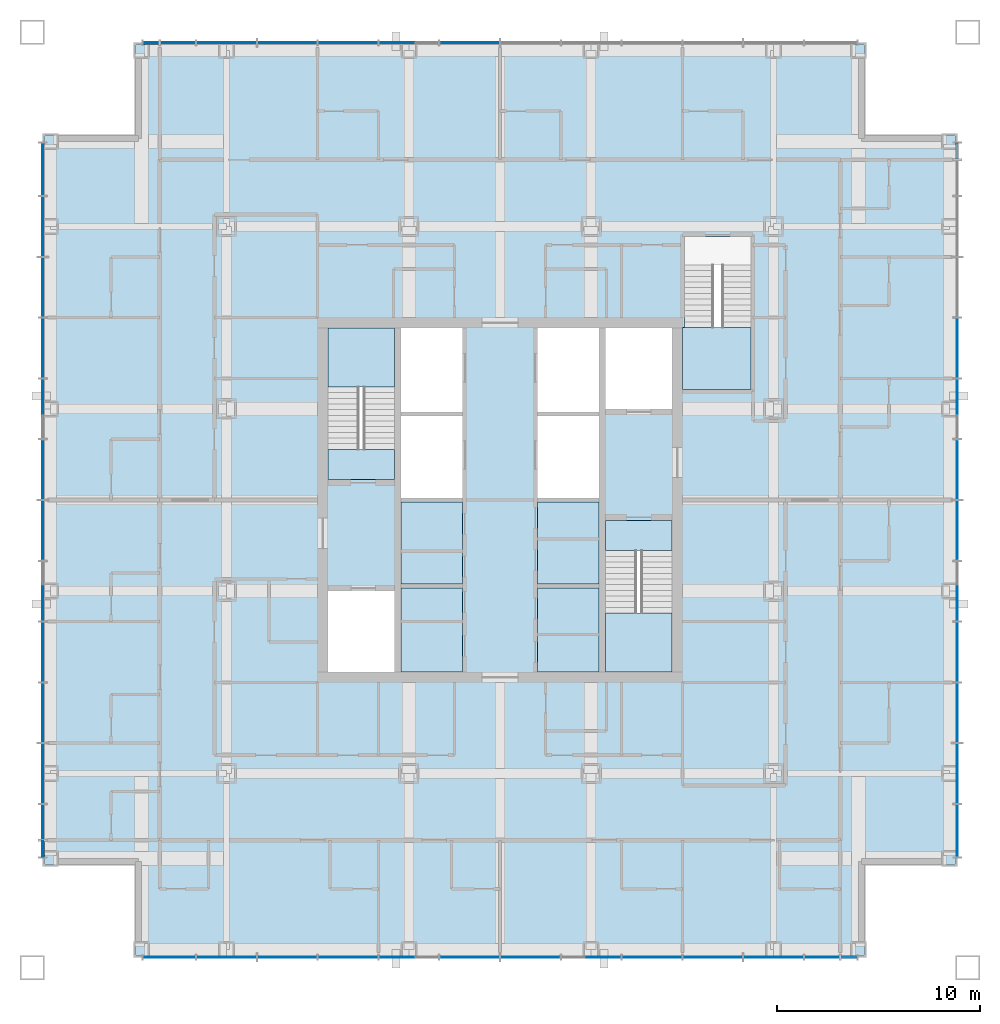
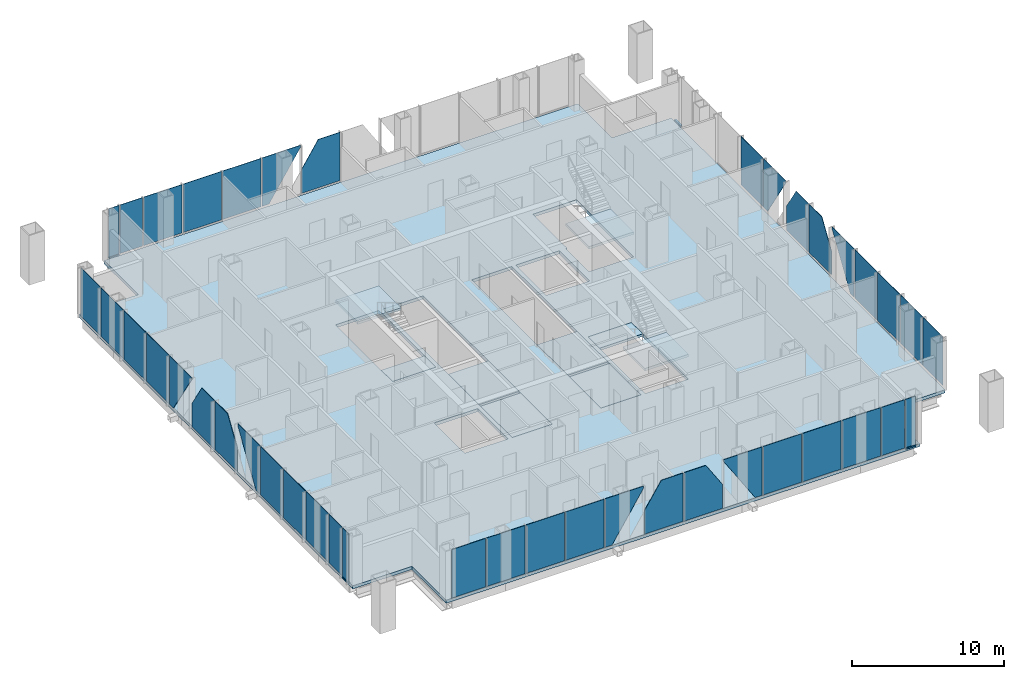
# One storey, part 6 of 17: 42 plates, 10 slabs, 4 members, 7 elements without a shape of their own.
"""IFC4 building model written with IfcOpenShell, lengths in metres."""

from ifc_helpers import new_model, si_unit, direction, frame, origin, origin_2d, place, context, subcontext, project, spatial, polyline, rectangle, outline, extrude, material, layer, layer_set, material_profile, profile_set, type_object, element, aggregate, save


model = new_model("IFC4")

# Units and contexts
model_context = context("Model", 3, precision=1e-05, world=origin(), true_north=direction((0.0, 1.0)))
body_context = subcontext(model_context, "Body", "Model", "MODEL_VIEW")
ifc_project = project(units=[si_unit("LENGTHUNIT", "METRE"), si_unit("AREAUNIT", "SQUARE_METRE"), si_unit("VOLUMEUNIT", "CUBIC_METRE"), si_unit("PLANEANGLEUNIT", "RADIAN"), si_unit("MASSUNIT", "GRAM", prefix="KILO")], contexts=[model_context])

# Site, building, storey
site_placement = place(None, origin())
site = spatial("IfcSite", under=ifc_project, at=site_placement, CompositionType="ELEMENT")
building_placement = place(site_placement, origin())
building = spatial("IfcBuilding", under=site, at=building_placement, Name="Malebo Sky Hospital", CompositionType="ELEMENT")
storey_placement = place(building_placement, frame((0.0, 0.0, 237.0)))
storey = spatial("IfcBuildingStorey", under=building, at=storey_placement, Name="L57", CompositionType="ELEMENT", Elevation=237.0)

# Curtain wall, member
ifc_material_1 = material(Name="Anodised aluminium, natural silver", Category="aluminium")
ifc_layer_1 = layer(ifc_material_1, 0.25)
ifc_layer_set_1 = layer_set([ifc_layer_1], Name="WARD CURTAIN WALL NORTH AND SOUTH")
curtain_wall_type_1 = type_object("IfcCurtainWallType", Name="WARD CURTAIN WALL NORTH AND SOUTH", PredefinedType="NOTDEFINED", material=ifc_layer_set_1)
curtain_wall_1_placement = place(storey_placement, origin())
curtain_wall_1 = element("IfcCurtainWall", 1, at=curtain_wall_1_placement, inside=storey, type_object=curtain_wall_type_1, Name="NS curtain wall N", PredefinedType="NOTDEFINED")
ifc_material_profile = material_profile(ifc_material_1, rectangle(XDim=0.14990234375, YDim=0.10009765625, at=origin_2d()), Name="ALUMINIUM TRANSOM 150x100")
ifc_profile_set = profile_set([ifc_material_profile], Name="Anodised aluminium, natural silver")
member_type = type_object("IfcMemberType", Name="ALUMINIUM TRANSOM 150x100", PredefinedType="USERDEFINED", material=ifc_profile_set)
member_1_placement = place(storey_placement, frame((42.375, 84.574951171875, 0.050048828125), z_axis=(1.0, 0.0, 0.0), x_axis=(0.0, 1.0, 0.0)))
member_1 = element("IfcMember", 2, at=member_1_placement, type_object=member_type, Name="Transom 1", ObjectType="TRANSOM", PredefinedType="USERDEFINED", context=body_context, shape_type="SweptSolid", body=[
    extrude(rectangle(XDim=0.14990234375, YDim=0.10009765625, at=origin_2d()), origin(), (0.0, 0.0, 1.0), 0.78759765625),
])

ifc_layer_2 = layer(ifc_material_1, 0.25)
ifc_layer_set_2 = layer_set([ifc_layer_2], Name="WARD CURTAIN WALL EAST AND WEST")
curtain_wall_type_2 = type_object("IfcCurtainWallType", Name="WARD CURTAIN WALL EAST AND WEST", PredefinedType="NOTDEFINED", material=ifc_layer_set_2)
curtain_wall_2_placement = place(storey_placement, origin())
curtain_wall_2 = element("IfcCurtainWall", 3, at=curtain_wall_2_placement, inside=storey, type_object=curtain_wall_type_2, Name="EW curtain wall W", PredefinedType="NOTDEFINED")
member_2_placement = place(storey_placement, frame((37.425048828125, 44.375, 0.050048828125), z_axis=(0.0, 1.0, 0.0), x_axis=(-1.0, 0.0, 0.0)))
member_2 = element("IfcMember", 4, at=member_2_placement, type_object=member_type, Name="Transom 1", ObjectType="TRANSOM", PredefinedType="USERDEFINED", context=body_context, shape_type="SweptSolid", body=[
    extrude(rectangle(XDim=0.14990234375, YDim=0.10009765625, at=origin_2d()), origin(), (0.0, 0.0, 1.0), 0.78759765625),
])

curtain_wall_3_placement = place(storey_placement, origin())
curtain_wall_3 = element("IfcCurtainWall", 5, at=curtain_wall_3_placement, inside=storey, type_object=curtain_wall_type_1, Name="NS curtain wall S", PredefinedType="NOTDEFINED")
member_3_placement = place(storey_placement, frame((77.625, 39.425048828125, 0.050048828125), z_axis=(-1.0, 0.0, 0.0), x_axis=(0.0, -1.0, 0.0)))
member_3 = element("IfcMember", 6, at=member_3_placement, type_object=member_type, Name="Transom 1", ObjectType="TRANSOM", PredefinedType="USERDEFINED", context=body_context, shape_type="SweptSolid", body=[
    extrude(rectangle(XDim=0.14990234375, YDim=0.10009765625, at=origin_2d()), origin(), (0.0, 0.0, 1.0), 0.78759765625),
])

curtain_wall_4_placement = place(storey_placement, origin())
curtain_wall_4 = element("IfcCurtainWall", 7, at=curtain_wall_4_placement, inside=storey, type_object=curtain_wall_type_2, Name="EW curtain wall E", PredefinedType="NOTDEFINED")
member_4_placement = place(storey_placement, frame((82.574951171875, 79.625, 0.050048828125), z_axis=(0.0, -1.0, 0.0), x_axis=(1.0, 0.0, 0.0)))
member_4 = element("IfcMember", 8, at=member_4_placement, type_object=member_type, Name="Transom 1", ObjectType="TRANSOM", PredefinedType="USERDEFINED", context=body_context, shape_type="SweptSolid", body=[
    extrude(rectangle(XDim=0.14990234375, YDim=0.10009765625, at=origin_2d()), origin(), (0.0, 0.0, 1.0), 0.78759765625),
])

# Slabs
ifc_material_2 = material(Name="Concrete C40/50", Category="concrete")
ifc_layer_3 = layer(ifc_material_2, 0.25)
ifc_layer_set_3 = layer_set([ifc_layer_3], Name="COMPOSITE FLOOR SLAB 250")
slab_type_1 = type_object("IfcSlabType", Name="COMPOSITE FLOOR SLAB 250", PredefinedType="FLOOR", material=ifc_layer_set_3)
slab_1_placement = place(storey_placement, frame((0.0, 0.0, -0.25)))
element("IfcSlab", 9, at=slab_1_placement, inside=storey, type_object=slab_type_1, Name="Floor slab L57", PredefinedType="FLOOR", context=body_context, shape_type="SweptSolid", body=[
    extrude(outline(polyline([(42.0, 84.5), (42.0, 80.0), (37.5, 80.0), (37.5, 44.0), (42.0, 44.0), (42.0, 39.5), (78.0, 39.5), (78.0, 44.0), (82.5, 44.0), (82.5, 80.0), (78.0, 80.0), (78.0, 84.5), (42.0, 84.5)]), holes=[polyline([(55.10009765625, 70.5), (58.14990234375, 70.5), (58.14990234375, 53.5), (55.10009765625, 53.5), (55.10009765625, 70.5)]), polyline([(64.89990234375, 70.5), (64.89990234375, 53.5), (61.85009765625, 53.5), (61.85009765625, 70.5), (64.89990234375, 70.5)]), polyline([(54.800048828125, 63.0), (51.5, 63.0), (51.5, 70.5), (54.800048828125, 70.5), (54.800048828125, 63.0)]), polyline([(51.5, 53.5), (51.5, 57.5), (54.800048828125, 57.5), (54.800048828125, 53.5), (51.5, 53.5)]), polyline([(65.199951171875, 61.0), (68.5, 61.0), (68.5, 53.5), (65.199951171875, 53.5), (65.199951171875, 61.0)]), polyline([(68.5, 70.5), (68.5, 66.5), (65.199951171875, 66.5), (65.199951171875, 70.5), (68.5, 70.5)]), polyline([(69.0, 67.449951171875), (69.0, 70.52001953125), (69.10009765625, 70.52001953125), (69.10009765625, 75.0), (72.39990234375, 75.0), (72.39990234375, 67.449951171875), (69.10009765625, 67.449951171875), (69.0, 67.449951171875)])]), origin(), (0.0, 0.0, 1.0), 0.25),
])
ifc_layer_4 = layer(ifc_material_2, 0.25)
ifc_layer_set_4 = layer_set([ifc_layer_4], Name="SHAFT INFILL SLAB 250")
slab_type_2 = type_object("IfcSlabType", Name="SHAFT INFILL SLAB 250", PredefinedType="FLOOR", material=ifc_layer_set_4)
slab_2_placement = place(storey_placement, frame((0.0, 0.0, -0.25)))
element("IfcSlab", 10, at=slab_2_placement, inside=storey, type_object=slab_type_2, Name="Shaft infill slab W1 L57", PredefinedType="FLOOR", context=body_context, shape_type="SweptSolid", body=[
    extrude(outline(polyline([(55.10009765625, 53.5), (58.14990234375, 53.5), (58.14990234375, 57.64990234375), (55.10009765625, 57.64990234375), (55.10009765625, 53.5)])), origin(), (0.0, 0.0, 1.0), 0.25),
])
slab_3_placement = place(storey_placement, frame((0.0, 0.0, -0.25)))
element("IfcSlab", 11, at=slab_3_placement, inside=storey, type_object=slab_type_2, Name="Shaft infill slab W2 L57", PredefinedType="FLOOR", context=body_context, shape_type="SweptSolid", body=[
    extrude(outline(polyline([(55.10009765625, 57.85009765625), (58.14990234375, 57.85009765625), (58.14990234375, 61.89990234375), (55.10009765625, 61.89990234375), (55.10009765625, 57.85009765625)])), origin(), (0.0, 0.0, 1.0), 0.25),
])
slab_4_placement = place(storey_placement, frame((0.0, 0.0, -0.25)))
element("IfcSlab", 12, at=slab_4_placement, inside=storey, type_object=slab_type_2, Name="Shaft infill slab E1 L57", PredefinedType="FLOOR", context=body_context, shape_type="SweptSolid", body=[
    extrude(outline(polyline([(61.85009765625, 53.5), (64.89990234375, 53.5), (64.89990234375, 57.64990234375), (61.85009765625, 57.64990234375), (61.85009765625, 53.5)])), origin(), (0.0, 0.0, 1.0), 0.25),
])
slab_5_placement = place(storey_placement, frame((0.0, 0.0, -0.25)))
element("IfcSlab", 13, at=slab_5_placement, inside=storey, type_object=slab_type_2, Name="Shaft infill slab E2 L57", PredefinedType="FLOOR", context=body_context, shape_type="SweptSolid", body=[
    extrude(outline(polyline([(61.85009765625, 57.85009765625), (64.89990234375, 57.85009765625), (64.89990234375, 61.89990234375), (61.85009765625, 61.89990234375), (61.85009765625, 57.85009765625)])), origin(), (0.0, 0.0, 1.0), 0.25),
])

# Stair, slabs
stair_type_1 = type_object("IfcStairType", Name="HALF-TURN STAIR 1500 R167", PredefinedType="HALF_TURN_STAIR", material=ifc_material_2)
stair_1_placement = place(storey_placement, origin())
stair_1 = element("IfcStair", 14, at=stair_1_placement, inside=storey, type_object=stair_type_1, Name="Stair S1 L57 type ST1", PredefinedType="HALF_TURN_STAIR")
ifc_layer_5 = layer(ifc_material_2, 0.199951171875)
ifc_layer_set_5 = layer_set([ifc_layer_5], Name="STAIR LANDING 200")
slab_type_3 = type_object("IfcSlabType", Name="STAIR LANDING 200", PredefinedType="LANDING", material=ifc_layer_set_5)
slab_6_placement = place(storey_placement, frame((0.0, 0.0, -0.199951171875)))
slab_6 = element("IfcSlab", 15, at=slab_6_placement, type_object=slab_type_3, Name="S1 landing 1", PredefinedType="LANDING", context=body_context, shape_type="SweptSolid", body=[
    extrude(outline(polyline([(51.5, 63.0), (54.800048828125, 63.0), (54.800048828125, 64.5), (51.5, 64.5), (51.5, 63.0)])), origin(), (0.0, 0.0, 1.0), 0.199951171875),
])
slab_7_placement = place(storey_placement, frame((0.0, 0.0, 1.800048828125)))
slab_7 = element("IfcSlab", 16, at=slab_7_placement, type_object=slab_type_3, Name="S1 landing 2", PredefinedType="LANDING", context=body_context, shape_type="SweptSolid", body=[
    extrude(outline(polyline([(51.5, 67.580078125), (54.800048828125, 67.580078125), (54.800048828125, 70.5), (51.5, 70.5), (51.5, 67.580078125)])), origin(), (0.0, 0.0, 1.0), 0.199951171875),
])
aggregate(stair_1, [slab_6, slab_7])

stair_2_placement = place(storey_placement, origin())
stair_2 = element("IfcStair", 17, at=stair_2_placement, inside=storey, type_object=stair_type_1, Name="Stair S2 L57 type ST1", PredefinedType="HALF_TURN_STAIR")
slab_8_placement = place(storey_placement, frame((0.0, 0.0, -0.199951171875)))
slab_8 = element("IfcSlab", 18, at=slab_8_placement, type_object=slab_type_3, Name="S2 landing 1", PredefinedType="LANDING", context=body_context, shape_type="SweptSolid", body=[
    extrude(outline(polyline([(65.199951171875, 59.5), (68.5, 59.5), (68.5, 61.0), (65.199951171875, 61.0), (65.199951171875, 59.5)])), origin(), (0.0, 0.0, 1.0), 0.199951171875),
])
slab_9_placement = place(storey_placement, frame((0.0, 0.0, 1.800048828125)))
slab_9 = element("IfcSlab", 19, at=slab_9_placement, type_object=slab_type_3, Name="S2 landing 2", PredefinedType="LANDING", context=body_context, shape_type="SweptSolid", body=[
    extrude(outline(polyline([(65.199951171875, 53.5), (68.5, 53.5), (68.5, 56.419921875), (65.199951171875, 56.419921875), (65.199951171875, 53.5)])), origin(), (0.0, 0.0, 1.0), 0.199951171875),
])
aggregate(stair_2, [slab_8, slab_9])

# Stair, slab
stair_type_2 = type_object("IfcStairType", Name="HALF-TURN STAIR 1400 R167", PredefinedType="HALF_TURN_STAIR", material=ifc_material_2)
stair_3_placement = place(storey_placement, origin())
stair_3 = element("IfcStair", 20, at=stair_3_placement, inside=storey, type_object=stair_type_2, Name="Stair S3 L57 type ST1B", PredefinedType="HALF_TURN_STAIR")
slab_10_placement = place(storey_placement, frame((0.0, 0.0, 1.800048828125)))
slab_10 = element("IfcSlab", 21, at=slab_10_placement, type_object=slab_type_3, Name="S3 landing 2", PredefinedType="LANDING", context=body_context, shape_type="SweptSolid", body=[
    extrude(outline(polyline([(69.0, 67.449951171875), (72.39990234375, 67.449951171875), (72.39990234375, 70.52001953125), (69.0, 70.52001953125), (69.0, 67.449951171875)])), origin(), (0.0, 0.0, 1.0), 0.199951171875),
])
aggregate(stair_3, [slab_10])

# Plate
ifc_material_3 = material(Name="Clear low-iron double glazing", Category="glass")
ifc_layer_6 = layer(ifc_material_3, 0.031982421875)
ifc_layer_set_6 = layer_set([ifc_layer_6], Name="VISION PANEL CLEAR 32")
plate_type = type_object("IfcPlateType", Name="VISION PANEL CLEAR 32", PredefinedType="CURTAIN_PANEL", material=ifc_layer_set_6)
plate_1_placement = place(storey_placement, frame((42.768798828125, 84.574951171875, 0.10009765625), z_axis=(0.0, 0.0, 1.0), x_axis=(1.0, 0.0, 0.0)))
plate_1 = element("IfcPlate", 22, at=plate_1_placement, type_object=plate_type, Name="Panel 1", PredefinedType="CURTAIN_PANEL", context=body_context, shape_type="SweptSolid", body=[
    extrude(rectangle(XDim=0.78759765625, YDim=0.031982421875, at=origin_2d()), origin(), (0.0, 0.0, 1.0), 3.889892578125),
])

plate_2_placement = place(storey_placement, frame((44.10009765625, 84.574951171875, 0.10009765625), z_axis=(0.0, 0.0, 1.0), x_axis=(1.0, 0.0, 0.0)))
plate_2 = element("IfcPlate", 23, at=plate_2_placement, type_object=plate_type, Name="Panel 2", PredefinedType="CURTAIN_PANEL", context=body_context, shape_type="SweptSolid", body=[
    extrude(rectangle(XDim=1.72509765625, YDim=0.031982421875, at=origin_2d()), origin(), (0.0, 0.0, 1.0), 3.889892578125),
])

plate_3_placement = place(storey_placement, frame((46.5, 84.574951171875, 0.10009765625), z_axis=(0.0, 0.0, 1.0), x_axis=(1.0, 0.0, 0.0)))
plate_3 = element("IfcPlate", 24, at=plate_3_placement, type_object=plate_type, Name="Panel 3", PredefinedType="CURTAIN_PANEL", context=body_context, shape_type="SweptSolid", body=[
    extrude(rectangle(XDim=2.925048828125, YDim=0.031982421875, at=origin_2d()), origin(), (0.0, 0.0, 1.0), 3.889892578125),
])

plate_4_placement = place(storey_placement, frame((49.5, 84.574951171875, 0.10009765625), z_axis=(0.0, 0.0, 1.0), x_axis=(1.0, 0.0, 0.0)))
plate_4 = element("IfcPlate", 25, at=plate_4_placement, type_object=plate_type, Name="Panel 4", PredefinedType="CURTAIN_PANEL", context=body_context, shape_type="SweptSolid", body=[
    extrude(rectangle(XDim=2.925048828125, YDim=0.031982421875, at=origin_2d()), origin(), (0.0, 0.0, 1.0), 3.889892578125),
])

plate_5_placement = place(storey_placement, frame((52.5, 84.574951171875, 0.10009765625), z_axis=(0.0, 0.0, 1.0), x_axis=(1.0, 0.0, 0.0)))
plate_5 = element("IfcPlate", 26, at=plate_5_placement, type_object=plate_type, Name="Panel 5", PredefinedType="CURTAIN_PANEL", context=body_context, shape_type="SweptSolid", body=[
    extrude(rectangle(XDim=2.925048828125, YDim=0.031982421875, at=origin_2d()), origin(), (0.0, 0.0, 1.0), 3.889892578125),
])

plate_6_placement = place(storey_placement, frame((55.5, 84.574951171875, 0.10009765625), z_axis=(0.0, 0.0, 1.0), x_axis=(1.0, 0.0, 0.0)))
plate_6 = element("IfcPlate", 27, at=plate_6_placement, type_object=plate_type, Name="Panel 6", PredefinedType="CURTAIN_PANEL", context=body_context, shape_type="SweptSolid", body=[
    extrude(outline(polyline([(-1.46240234375, 0.0), (-0.93701171875, 0.0), (1.46240234375, 3.739501953125), (1.46240234375, 3.889892578125), (-1.46240234375, 3.889892578125), (-1.46240234375, 0.0)])), frame((0.0, 0.01611328125, 0.0), z_axis=(0.0, -1.0, 0.0), x_axis=(1.0, 0.0, 0.0)), (0.0, 0.0, 1.0), 0.031982421875),
])

plate_7_placement = place(storey_placement, frame((58.5, 84.574951171875, 0.10009765625), z_axis=(0.0, 0.0, 1.0), x_axis=(1.0, 0.0, 0.0)))
plate_7 = element("IfcPlate", 28, at=plate_7_placement, type_object=plate_type, Name="Panel 7", PredefinedType="CURTAIN_PANEL", context=body_context, shape_type="SweptSolid", body=[
    extrude(outline(polyline([(-1.46240234375, 0.0), (1.46240234375, 0.0), (1.46240234375, 3.889892578125), (-0.192138671875, 3.889892578125), (-1.46240234375, 1.91015625), (-1.46240234375, 0.0)])), frame((0.0, 0.01611328125, 0.0), z_axis=(0.0, -1.0, 0.0), x_axis=(1.0, 0.0, 0.0)), (0.0, 0.0, 1.0), 0.031982421875),
])

aggregate(curtain_wall_1, [member_1, plate_1, plate_2, plate_3, plate_4, plate_5, plate_6, plate_7])

plate_8_placement = place(storey_placement, frame((37.425048828125, 44.768798828125, 0.10009765625), z_axis=(0.0, 0.0, 1.0), x_axis=(0.0, 1.0, 0.0)))
plate_8 = element("IfcPlate", 29, at=plate_8_placement, type_object=plate_type, Name="Panel 1", PredefinedType="CURTAIN_PANEL", context=body_context, shape_type="SweptSolid", body=[
    extrude(rectangle(XDim=0.78759765625, YDim=0.031982421875, at=origin_2d()), origin(), (0.0, 0.0, 1.0), 3.889892578125),
])

plate_9_placement = place(storey_placement, frame((37.425048828125, 46.10009765625, 0.10009765625), z_axis=(0.0, 0.0, 1.0), x_axis=(0.0, 1.0, 0.0)))
plate_9 = element("IfcPlate", 30, at=plate_9_placement, type_object=plate_type, Name="Panel 2", PredefinedType="CURTAIN_PANEL", context=body_context, shape_type="SweptSolid", body=[
    extrude(rectangle(XDim=1.72509765625, YDim=0.031982421875, at=origin_2d()), origin(), (0.0, 0.0, 1.0), 3.889892578125),
])

plate_10_placement = place(storey_placement, frame((37.425048828125, 48.5, 0.10009765625), z_axis=(0.0, 0.0, 1.0), x_axis=(0.0, 1.0, 0.0)))
plate_10 = element("IfcPlate", 31, at=plate_10_placement, type_object=plate_type, Name="Panel 3", PredefinedType="CURTAIN_PANEL", context=body_context, shape_type="SweptSolid", body=[
    extrude(rectangle(XDim=2.925048828125, YDim=0.031982421875, at=origin_2d()), origin(), (0.0, 0.0, 1.0), 3.889892578125),
])

plate_11_placement = place(storey_placement, frame((37.425048828125, 51.5, 0.10009765625), z_axis=(0.0, 0.0, 1.0), x_axis=(0.0, 1.0, 0.0)))
plate_11 = element("IfcPlate", 32, at=plate_11_placement, type_object=plate_type, Name="Panel 4", PredefinedType="CURTAIN_PANEL", context=body_context, shape_type="SweptSolid", body=[
    extrude(rectangle(XDim=2.925048828125, YDim=0.031982421875, at=origin_2d()), origin(), (0.0, 0.0, 1.0), 3.889892578125),
])

plate_12_placement = place(storey_placement, frame((37.425048828125, 54.5, 0.10009765625), z_axis=(0.0, 0.0, 1.0), x_axis=(0.0, 1.0, 0.0)))
plate_12 = element("IfcPlate", 33, at=plate_12_placement, type_object=plate_type, Name="Panel 5", PredefinedType="CURTAIN_PANEL", context=body_context, shape_type="SweptSolid", body=[
    extrude(rectangle(XDim=2.925048828125, YDim=0.031982421875, at=origin_2d()), origin(), (0.0, 0.0, 1.0), 3.889892578125),
])

plate_13_placement = place(storey_placement, frame((37.425048828125, 57.5, 0.10009765625), z_axis=(0.0, 0.0, 1.0), x_axis=(0.0, 1.0, 0.0)))
plate_13 = element("IfcPlate", 34, at=plate_13_placement, type_object=plate_type, Name="Panel 6", PredefinedType="CURTAIN_PANEL", context=body_context, shape_type="SweptSolid", body=[
    extrude(outline(polyline([(-1.46240234375, 0.0), (-0.93701171875, 0.0), (1.46240234375, 3.739501953125), (1.46240234375, 3.889892578125), (-1.46240234375, 3.889892578125), (-1.46240234375, 0.0)])), frame((0.0, 0.01611328125, 0.0), z_axis=(0.0, -1.0, 0.0), x_axis=(1.0, 0.0, 0.0)), (0.0, 0.0, 1.0), 0.031982421875),
])

plate_14_placement = place(storey_placement, frame((37.425048828125, 60.5, 0.10009765625), z_axis=(0.0, 0.0, 1.0), x_axis=(0.0, 1.0, 0.0)))
plate_14 = element("IfcPlate", 35, at=plate_14_placement, type_object=plate_type, Name="Panel 7", PredefinedType="CURTAIN_PANEL", context=body_context, shape_type="SweptSolid", body=[
    extrude(outline(polyline([(-1.46240234375, 0.0), (1.46240234375, 0.0), (1.46240234375, 3.889892578125), (-0.192138671875, 3.889892578125), (-1.46240234375, 1.91015625), (-1.46240234375, 0.0)])), frame((0.0, 0.01611328125, 0.0), z_axis=(0.0, -1.0, 0.0), x_axis=(1.0, 0.0, 0.0)), (0.0, 0.0, 1.0), 0.031982421875),
])

plate_15_placement = place(storey_placement, frame((37.425048828125, 63.5, 0.10009765625), z_axis=(0.0, 0.0, 1.0), x_axis=(0.0, 1.0, 0.0)))
plate_15 = element("IfcPlate", 36, at=plate_15_placement, type_object=plate_type, Name="Panel 8", PredefinedType="CURTAIN_PANEL", context=body_context, shape_type="SweptSolid", body=[
    extrude(outline(polyline([(-1.46240234375, 0.0), (1.46240234375, 0.0), (1.46240234375, 1.91015625), (0.192138671875, 3.889892578125), (-1.46240234375, 3.889892578125), (-1.46240234375, 0.0)])), frame((0.0, 0.01611328125, 0.0), z_axis=(0.0, -1.0, 0.0), x_axis=(1.0, 0.0, 0.0)), (0.0, 0.0, 1.0), 0.031982421875),
])

plate_16_placement = place(storey_placement, frame((37.425048828125, 66.5, 0.10009765625), z_axis=(0.0, 0.0, 1.0), x_axis=(0.0, 1.0, 0.0)))
plate_16 = element("IfcPlate", 37, at=plate_16_placement, type_object=plate_type, Name="Panel 9", PredefinedType="CURTAIN_PANEL", context=body_context, shape_type="SweptSolid", body=[
    extrude(outline(polyline([(0.93701171875, 0.0), (1.46240234375, 0.0), (1.46240234375, 3.889892578125), (-1.46240234375, 3.889892578125), (-1.46240234375, 3.739501953125), (0.93701171875, 0.0)])), frame((0.0, 0.01611328125, 0.0), z_axis=(0.0, -1.0, 0.0), x_axis=(1.0, 0.0, 0.0)), (0.0, 0.0, 1.0), 0.031982421875),
])

plate_17_placement = place(storey_placement, frame((37.425048828125, 69.5, 0.10009765625), z_axis=(0.0, 0.0, 1.0), x_axis=(0.0, 1.0, 0.0)))
plate_17 = element("IfcPlate", 38, at=plate_17_placement, type_object=plate_type, Name="Panel 10", PredefinedType="CURTAIN_PANEL", context=body_context, shape_type="SweptSolid", body=[
    extrude(rectangle(XDim=2.925048828125, YDim=0.031982421875, at=origin_2d()), origin(), (0.0, 0.0, 1.0), 3.889892578125),
])

plate_18_placement = place(storey_placement, frame((37.425048828125, 72.5, 0.10009765625), z_axis=(0.0, 0.0, 1.0), x_axis=(0.0, 1.0, 0.0)))
plate_18 = element("IfcPlate", 39, at=plate_18_placement, type_object=plate_type, Name="Panel 11", PredefinedType="CURTAIN_PANEL", context=body_context, shape_type="SweptSolid", body=[
    extrude(rectangle(XDim=2.925048828125, YDim=0.031982421875, at=origin_2d()), origin(), (0.0, 0.0, 1.0), 3.889892578125),
])

plate_19_placement = place(storey_placement, frame((37.425048828125, 75.5, 0.10009765625), z_axis=(0.0, 0.0, 1.0), x_axis=(0.0, 1.0, 0.0)))
plate_19 = element("IfcPlate", 40, at=plate_19_placement, type_object=plate_type, Name="Panel 12", PredefinedType="CURTAIN_PANEL", context=body_context, shape_type="SweptSolid", body=[
    extrude(rectangle(XDim=2.925048828125, YDim=0.031982421875, at=origin_2d()), origin(), (0.0, 0.0, 1.0), 3.889892578125),
])

plate_20_placement = place(storey_placement, frame((37.425048828125, 78.331298828125, 0.10009765625), z_axis=(0.0, 0.0, 1.0), x_axis=(0.0, 1.0, 0.0)))
plate_20 = element("IfcPlate", 41, at=plate_20_placement, type_object=plate_type, Name="Panel 13", PredefinedType="CURTAIN_PANEL", context=body_context, shape_type="SweptSolid", body=[
    extrude(rectangle(XDim=2.58740234375, YDim=0.031982421875, at=origin_2d()), origin(), (0.0, 0.0, 1.0), 3.889892578125),
])

aggregate(curtain_wall_2, [member_2, plate_8, plate_9, plate_10, plate_11, plate_12, plate_13, plate_14, plate_15, plate_16, plate_17, plate_18, plate_19, plate_20])

plate_21_placement = place(storey_placement, frame((77.231201171875, 39.425048828125, 0.10009765625), z_axis=(0.0, 0.0, 1.0), x_axis=(-1.0, 0.0, 0.0)))
plate_21 = element("IfcPlate", 42, at=plate_21_placement, type_object=plate_type, Name="Panel 1", PredefinedType="CURTAIN_PANEL", context=body_context, shape_type="SweptSolid", body=[
    extrude(rectangle(XDim=0.78759765625, YDim=0.031982421875, at=origin_2d()), origin(), (0.0, 0.0, 1.0), 3.889892578125),
])

plate_22_placement = place(storey_placement, frame((75.89990234375, 39.425048828125, 0.10009765625), z_axis=(0.0, 0.0, 1.0), x_axis=(-1.0, 0.0, 0.0)))
plate_22 = element("IfcPlate", 43, at=plate_22_placement, type_object=plate_type, Name="Panel 2", PredefinedType="CURTAIN_PANEL", context=body_context, shape_type="SweptSolid", body=[
    extrude(rectangle(XDim=1.72509765625, YDim=0.031982421875, at=origin_2d()), origin(), (0.0, 0.0, 1.0), 3.889892578125),
])

plate_23_placement = place(storey_placement, frame((73.5, 39.425048828125, 0.10009765625), z_axis=(0.0, 0.0, 1.0), x_axis=(-1.0, 0.0, 0.0)))
plate_23 = element("IfcPlate", 44, at=plate_23_placement, type_object=plate_type, Name="Panel 3", PredefinedType="CURTAIN_PANEL", context=body_context, shape_type="SweptSolid", body=[
    extrude(rectangle(XDim=2.925048828125, YDim=0.031982421875, at=origin_2d()), origin(), (0.0, 0.0, 1.0), 3.889892578125),
])

plate_24_placement = place(storey_placement, frame((70.5, 39.425048828125, 0.10009765625), z_axis=(0.0, 0.0, 1.0), x_axis=(-1.0, 0.0, 0.0)))
plate_24 = element("IfcPlate", 45, at=plate_24_placement, type_object=plate_type, Name="Panel 4", PredefinedType="CURTAIN_PANEL", context=body_context, shape_type="SweptSolid", body=[
    extrude(rectangle(XDim=2.925048828125, YDim=0.031982421875, at=origin_2d()), origin(), (0.0, 0.0, 1.0), 3.889892578125),
])

plate_25_placement = place(storey_placement, frame((67.5, 39.425048828125, 0.10009765625), z_axis=(0.0, 0.0, 1.0), x_axis=(-1.0, 0.0, 0.0)))
plate_25 = element("IfcPlate", 46, at=plate_25_placement, type_object=plate_type, Name="Panel 5", PredefinedType="CURTAIN_PANEL", context=body_context, shape_type="SweptSolid", body=[
    extrude(rectangle(XDim=2.925048828125, YDim=0.031982421875, at=origin_2d()), origin(), (0.0, 0.0, 1.0), 3.889892578125),
])

plate_26_placement = place(storey_placement, frame((64.5, 39.425048828125, 0.10009765625), z_axis=(0.0, 0.0, 1.0), x_axis=(-1.0, 0.0, 0.0)))
plate_26 = element("IfcPlate", 47, at=plate_26_placement, type_object=plate_type, Name="Panel 6", PredefinedType="CURTAIN_PANEL", context=body_context, shape_type="SweptSolid", body=[
    extrude(outline(polyline([(-1.46240234375, 0.0), (-0.93701171875, 0.0), (1.46240234375, 3.739501953125), (1.46240234375, 3.889892578125), (-1.46240234375, 3.889892578125), (-1.46240234375, 0.0)])), frame((0.0, 0.01611328125, 0.0), z_axis=(0.0, -1.0, 0.0), x_axis=(1.0, 0.0, 0.0)), (0.0, 0.0, 1.0), 0.031982421875),
])

plate_27_placement = place(storey_placement, frame((61.5, 39.425048828125, 0.10009765625), z_axis=(0.0, 0.0, 1.0), x_axis=(-1.0, 0.0, 0.0)))
plate_27 = element("IfcPlate", 48, at=plate_27_placement, type_object=plate_type, Name="Panel 7", PredefinedType="CURTAIN_PANEL", context=body_context, shape_type="SweptSolid", body=[
    extrude(outline(polyline([(-1.46240234375, 0.0), (1.46240234375, 0.0), (1.46240234375, 3.889892578125), (-0.192138671875, 3.889892578125), (-1.46240234375, 1.91015625), (-1.46240234375, 0.0)])), frame((0.0, 0.01611328125, 0.0), z_axis=(0.0, -1.0, 0.0), x_axis=(1.0, 0.0, 0.0)), (0.0, 0.0, 1.0), 0.031982421875),
])

plate_28_placement = place(storey_placement, frame((58.5, 39.425048828125, 0.10009765625), z_axis=(0.0, 0.0, 1.0), x_axis=(-1.0, 0.0, 0.0)))
plate_28 = element("IfcPlate", 49, at=plate_28_placement, type_object=plate_type, Name="Panel 8", PredefinedType="CURTAIN_PANEL", context=body_context, shape_type="SweptSolid", body=[
    extrude(outline(polyline([(-1.46240234375, 0.0), (1.46240234375, 0.0), (1.46240234375, 1.91015625), (0.192138671875, 3.889892578125), (-1.46240234375, 3.889892578125), (-1.46240234375, 0.0)])), frame((0.0, 0.01611328125, 0.0), z_axis=(0.0, -1.0, 0.0), x_axis=(1.0, 0.0, 0.0)), (0.0, 0.0, 1.0), 0.031982421875),
])

plate_29_placement = place(storey_placement, frame((55.5, 39.425048828125, 0.10009765625), z_axis=(0.0, 0.0, 1.0), x_axis=(-1.0, 0.0, 0.0)))
plate_29 = element("IfcPlate", 50, at=plate_29_placement, type_object=plate_type, Name="Panel 9", PredefinedType="CURTAIN_PANEL", context=body_context, shape_type="SweptSolid", body=[
    extrude(outline(polyline([(0.93701171875, 0.0), (1.46240234375, 0.0), (1.46240234375, 3.889892578125), (-1.46240234375, 3.889892578125), (-1.46240234375, 3.739501953125), (0.93701171875, 0.0)])), frame((0.0, 0.01611328125, 0.0), z_axis=(0.0, -1.0, 0.0), x_axis=(1.0, 0.0, 0.0)), (0.0, 0.0, 1.0), 0.031982421875),
])

plate_30_placement = place(storey_placement, frame((52.5, 39.425048828125, 0.10009765625), z_axis=(0.0, 0.0, 1.0), x_axis=(-1.0, 0.0, 0.0)))
plate_30 = element("IfcPlate", 51, at=plate_30_placement, type_object=plate_type, Name="Panel 10", PredefinedType="CURTAIN_PANEL", context=body_context, shape_type="SweptSolid", body=[
    extrude(rectangle(XDim=2.925048828125, YDim=0.031982421875, at=origin_2d()), origin(), (0.0, 0.0, 1.0), 3.889892578125),
])

plate_31_placement = place(storey_placement, frame((49.5, 39.425048828125, 0.10009765625), z_axis=(0.0, 0.0, 1.0), x_axis=(-1.0, 0.0, 0.0)))
plate_31 = element("IfcPlate", 52, at=plate_31_placement, type_object=plate_type, Name="Panel 11", PredefinedType="CURTAIN_PANEL", context=body_context, shape_type="SweptSolid", body=[
    extrude(rectangle(XDim=2.925048828125, YDim=0.031982421875, at=origin_2d()), origin(), (0.0, 0.0, 1.0), 3.889892578125),
])

plate_32_placement = place(storey_placement, frame((46.5, 39.425048828125, 0.10009765625), z_axis=(0.0, 0.0, 1.0), x_axis=(-1.0, 0.0, 0.0)))
plate_32 = element("IfcPlate", 53, at=plate_32_placement, type_object=plate_type, Name="Panel 12", PredefinedType="CURTAIN_PANEL", context=body_context, shape_type="SweptSolid", body=[
    extrude(rectangle(XDim=2.925048828125, YDim=0.031982421875, at=origin_2d()), origin(), (0.0, 0.0, 1.0), 3.889892578125),
])

plate_33_placement = place(storey_placement, frame((43.668701171875, 39.425048828125, 0.10009765625), z_axis=(0.0, 0.0, 1.0), x_axis=(-1.0, 0.0, 0.0)))
plate_33 = element("IfcPlate", 54, at=plate_33_placement, type_object=plate_type, Name="Panel 13", PredefinedType="CURTAIN_PANEL", context=body_context, shape_type="SweptSolid", body=[
    extrude(rectangle(XDim=2.58740234375, YDim=0.031982421875, at=origin_2d()), origin(), (0.0, 0.0, 1.0), 3.889892578125),
])

aggregate(curtain_wall_3, [member_3, plate_21, plate_22, plate_23, plate_24, plate_25, plate_26, plate_27, plate_28, plate_29, plate_30, plate_31, plate_32, plate_33])

plate_34_placement = place(storey_placement, frame((82.574951171875, 69.5, 0.10009765625), z_axis=(0.0, 0.0, 1.0), x_axis=(0.0, -1.0, 0.0)))
plate_34 = element("IfcPlate", 55, at=plate_34_placement, type_object=plate_type, Name="Panel 5", PredefinedType="CURTAIN_PANEL", context=body_context, shape_type="SweptSolid", body=[
    extrude(rectangle(XDim=2.925048828125, YDim=0.031982421875, at=origin_2d()), origin(), (0.0, 0.0, 1.0), 3.889892578125),
])

plate_35_placement = place(storey_placement, frame((82.574951171875, 66.5, 0.10009765625), z_axis=(0.0, 0.0, 1.0), x_axis=(0.0, -1.0, 0.0)))
plate_35 = element("IfcPlate", 56, at=plate_35_placement, type_object=plate_type, Name="Panel 6", PredefinedType="CURTAIN_PANEL", context=body_context, shape_type="SweptSolid", body=[
    extrude(outline(polyline([(-1.46240234375, 0.0), (-0.93701171875, 0.0), (1.46240234375, 3.739501953125), (1.46240234375, 3.889892578125), (-1.46240234375, 3.889892578125), (-1.46240234375, 0.0)])), frame((0.0, 0.01611328125, 0.0), z_axis=(0.0, -1.0, 0.0), x_axis=(1.0, 0.0, 0.0)), (0.0, 0.0, 1.0), 0.031982421875),
])

plate_36_placement = place(storey_placement, frame((82.574951171875, 63.5, 0.10009765625), z_axis=(0.0, 0.0, 1.0), x_axis=(0.0, -1.0, 0.0)))
plate_36 = element("IfcPlate", 57, at=plate_36_placement, type_object=plate_type, Name="Panel 7", PredefinedType="CURTAIN_PANEL", context=body_context, shape_type="SweptSolid", body=[
    extrude(outline(polyline([(-1.46240234375, 0.0), (1.46240234375, 0.0), (1.46240234375, 3.889892578125), (-0.192138671875, 3.889892578125), (-1.46240234375, 1.91015625), (-1.46240234375, 0.0)])), frame((0.0, 0.01611328125, 0.0), z_axis=(0.0, -1.0, 0.0), x_axis=(1.0, 0.0, 0.0)), (0.0, 0.0, 1.0), 0.031982421875),
])

plate_37_placement = place(storey_placement, frame((82.574951171875, 60.5, 0.10009765625), z_axis=(0.0, 0.0, 1.0), x_axis=(0.0, -1.0, 0.0)))
plate_37 = element("IfcPlate", 58, at=plate_37_placement, type_object=plate_type, Name="Panel 8", PredefinedType="CURTAIN_PANEL", context=body_context, shape_type="SweptSolid", body=[
    extrude(outline(polyline([(-1.46240234375, 0.0), (1.46240234375, 0.0), (1.46240234375, 1.91015625), (0.192138671875, 3.889892578125), (-1.46240234375, 3.889892578125), (-1.46240234375, 0.0)])), frame((0.0, 0.01611328125, 0.0), z_axis=(0.0, -1.0, 0.0), x_axis=(1.0, 0.0, 0.0)), (0.0, 0.0, 1.0), 0.031982421875),
])

plate_38_placement = place(storey_placement, frame((82.574951171875, 57.5, 0.10009765625), z_axis=(0.0, 0.0, 1.0), x_axis=(0.0, -1.0, 0.0)))
plate_38 = element("IfcPlate", 59, at=plate_38_placement, type_object=plate_type, Name="Panel 9", PredefinedType="CURTAIN_PANEL", context=body_context, shape_type="SweptSolid", body=[
    extrude(outline(polyline([(0.93701171875, 0.0), (1.46240234375, 0.0), (1.46240234375, 3.889892578125), (-1.46240234375, 3.889892578125), (-1.46240234375, 3.739501953125), (0.93701171875, 0.0)])), frame((0.0, 0.01611328125, 0.0), z_axis=(0.0, -1.0, 0.0), x_axis=(1.0, 0.0, 0.0)), (0.0, 0.0, 1.0), 0.031982421875),
])

plate_39_placement = place(storey_placement, frame((82.574951171875, 54.5, 0.10009765625), z_axis=(0.0, 0.0, 1.0), x_axis=(0.0, -1.0, 0.0)))
plate_39 = element("IfcPlate", 60, at=plate_39_placement, type_object=plate_type, Name="Panel 10", PredefinedType="CURTAIN_PANEL", context=body_context, shape_type="SweptSolid", body=[
    extrude(rectangle(XDim=2.925048828125, YDim=0.031982421875, at=origin_2d()), origin(), (0.0, 0.0, 1.0), 3.889892578125),
])

plate_40_placement = place(storey_placement, frame((82.574951171875, 51.5, 0.10009765625), z_axis=(0.0, 0.0, 1.0), x_axis=(0.0, -1.0, 0.0)))
plate_40 = element("IfcPlate", 61, at=plate_40_placement, type_object=plate_type, Name="Panel 11", PredefinedType="CURTAIN_PANEL", context=body_context, shape_type="SweptSolid", body=[
    extrude(rectangle(XDim=2.925048828125, YDim=0.031982421875, at=origin_2d()), origin(), (0.0, 0.0, 1.0), 3.889892578125),
])

plate_41_placement = place(storey_placement, frame((82.574951171875, 48.5, 0.10009765625), z_axis=(0.0, 0.0, 1.0), x_axis=(0.0, -1.0, 0.0)))
plate_41 = element("IfcPlate", 62, at=plate_41_placement, type_object=plate_type, Name="Panel 12", PredefinedType="CURTAIN_PANEL", context=body_context, shape_type="SweptSolid", body=[
    extrude(rectangle(XDim=2.925048828125, YDim=0.031982421875, at=origin_2d()), origin(), (0.0, 0.0, 1.0), 3.889892578125),
])

plate_42_placement = place(storey_placement, frame((82.574951171875, 45.668701171875, 0.10009765625), z_axis=(0.0, 0.0, 1.0), x_axis=(0.0, -1.0, 0.0)))
plate_42 = element("IfcPlate", 63, at=plate_42_placement, type_object=plate_type, Name="Panel 13", PredefinedType="CURTAIN_PANEL", context=body_context, shape_type="SweptSolid", body=[
    extrude(rectangle(XDim=2.58740234375, YDim=0.031982421875, at=origin_2d()), origin(), (0.0, 0.0, 1.0), 3.889892578125),
])

aggregate(curtain_wall_4, [member_4, plate_34, plate_35, plate_36, plate_37, plate_38, plate_39, plate_40, plate_41, plate_42])

save(model, "model.ifc")
